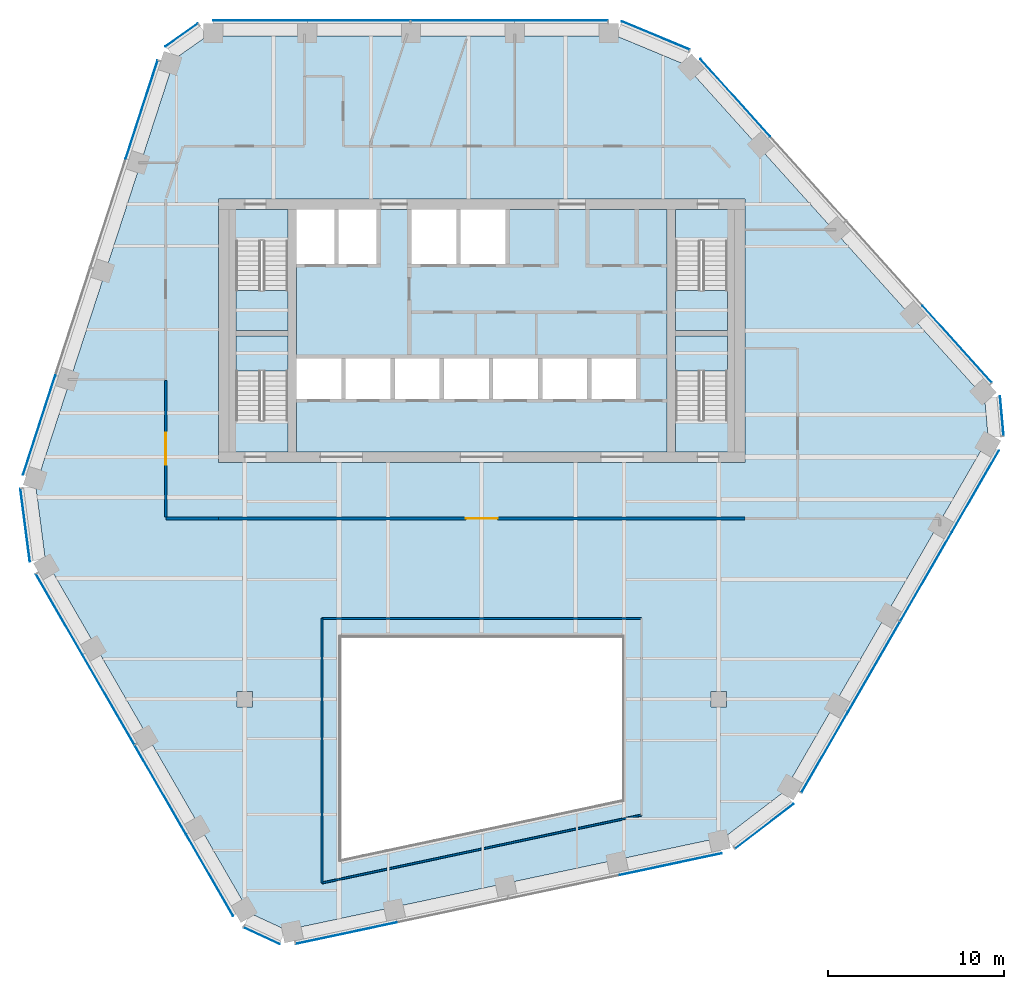
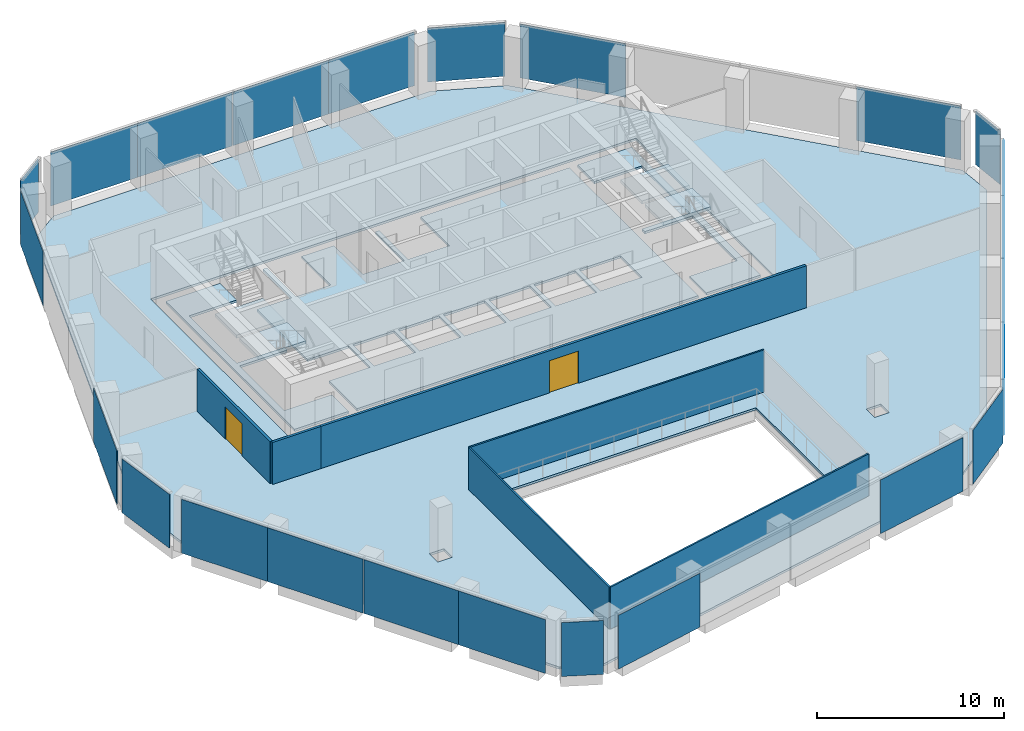
# One storey, part 8 of 15: 24 plates, 8 slabs, 6 walls, 2 doors, 2 openings, 16 elements without a shape of their own.
"""IFC4 building model written with IfcOpenShell, lengths in metres."""

from ifc_helpers import new_model, si_unit, direction, frame, frame_2d, origin, origin_2d, place, context, subcontext, project, spatial, polyline, rectangle, outline, extrude, material, layer, layer_set, type_object, element, fill, aggregate, save


model = new_model("IFC4")

# Units and contexts
model_context = context("Model", 3, precision=1e-05, world=origin(), true_north=direction((0.0, 1.0)))
body_context = subcontext(model_context, "Body", "Model", "MODEL_VIEW")
ifc_project = project(units=[si_unit("LENGTHUNIT", "METRE"), si_unit("AREAUNIT", "SQUARE_METRE"), si_unit("VOLUMEUNIT", "CUBIC_METRE"), si_unit("PLANEANGLEUNIT", "RADIAN"), si_unit("MASSUNIT", "GRAM", prefix="KILO")], contexts=[model_context])

# Site, building, storey
site_placement = place(None, origin())
site = spatial("IfcSite", under=ifc_project, at=site_placement, CompositionType="ELEMENT")
building_placement = place(site_placement, origin())
building = spatial("IfcBuilding", under=site, at=building_placement, Name="Isthmus Gate Tower", CompositionType="ELEMENT")
storey_placement = place(building_placement, frame((0.0, 0.0, 223.60009765625)))
storey = spatial("IfcBuildingStorey", under=building, at=storey_placement, Name="L56", CompositionType="ELEMENT", Elevation=223.60009765625)

# Slabs
ifc_material_1 = material(Name="Concrete f'c 40 MPa", Category="concrete")
ifc_layer_1 = layer(ifc_material_1, 0.14990234375)
ifc_layer_set_1 = layer_set([ifc_layer_1], Name="COMPOSITE FLOOR SLAB 150")
slab_type_1 = type_object("IfcSlabType", Name="COMPOSITE FLOOR SLAB 150", PredefinedType="FLOOR", material=ifc_layer_set_1)
slab_1_placement = place(storey_placement, frame((0.0, 0.0, -0.150146484375)))
element("IfcSlab", 1, at=slab_1_placement, inside=storey, type_object=slab_type_1, Name="str-slab-L56-1", PredefinedType="FLOOR", context=body_context, shape_type="SweptSolid", body=[
    extrude(outline(polyline([(11.539794921875, 22.68310546875), (28.65380859375, 3.67626953125), (28.859375, 1.3857421875), (17.21875, -18.7763671875), (13.874267578125, -21.335205078125), (-11.143310546875, -26.65283203125), (-13.2294921875, -25.685791015625), (-24.8701171875, -5.523681640625), (-25.4140625, -1.347900390625), (-17.510498046875, 22.976806640625), (-15.629638671875, 24.300048828125), (7.6513671875, 24.300048828125), (11.539794921875, 22.68310546875)]), holes=[polyline([(-8.0, -10.0), (-8.0, -22.611083984375), (8.0, -19.210205078125), (8.0, -10.0), (-8.0, -10.0)]), polyline([(-13.949951171875, -13.050048828125), (-13.949951171875, -13.949951171875), (-13.050048828125, -13.949951171875), (-13.050048828125, -13.050048828125), (-13.949951171875, -13.050048828125)]), polyline([(13.050048828125, -13.050048828125), (13.050048828125, -13.949951171875), (13.949951171875, -13.949951171875), (13.949951171875, -13.050048828125), (13.050048828125, -13.050048828125)]), polyline([(-15.0, 0.0), (15.0, 0.0), (15.0, 15.0), (-15.0, 15.0), (-15.0, 0.0)])]), origin(), (0.0, 0.0, 1.0), 0.150146484375),
])
ifc_material_2 = material(Name="Concrete f'c 40 MPa", Category="concrete")
ifc_layer_2 = layer(ifc_material_2, 0.14990234375)
ifc_layer_set_2 = layer_set([ifc_layer_2], Name="CORE FLOOR SLAB 150")
slab_type_2 = type_object("IfcSlabType", Name="CORE FLOOR SLAB 150", PredefinedType="FLOOR", material=ifc_layer_set_2)
slab_2_placement = place(storey_placement, frame((0.0, 0.0, -0.150146484375)))
element("IfcSlab", 2, at=slab_2_placement, inside=storey, type_object=slab_type_2, Name="L56 core floor", PredefinedType="FLOOR", context=body_context, shape_type="SweptSolid", body=[
    extrude(outline(polyline([(-11.050048828125, 0.60009765625), (-11.050048828125, 2.402099609375), (-14.0, 2.402099609375), (-14.0, 7.199951171875), (-11.050048828125, 7.199951171875), (-11.050048828125, 7.5), (-14.0, 7.5), (-14.0, 12.597900390625), (-11.050048828125, 12.597900390625), (-11.050048828125, 14.39990234375), (-14.39990234375, 14.39990234375), (-14.39990234375, 0.60009765625), (-11.050048828125, 0.60009765625)])), origin(), (0.0, 0.0, 1.0), 0.150146484375),
])
slab_3_placement = place(storey_placement, frame((0.0, 0.0, -0.150146484375)))
element("IfcSlab", 3, at=slab_3_placement, inside=storey, type_object=slab_type_2, Name="L56 core floor", PredefinedType="FLOOR", context=body_context, shape_type="SweptSolid", body=[
    extrude(outline(polyline([(10.550048828125, 14.39990234375), (1.35009765625, 14.39990234375), (1.35009765625, 11.300048828125), (-1.199951171875, 11.300048828125), (-1.199951171875, 14.39990234375), (-1.449951171875, 14.39990234375), (-1.449951171875, 11.300048828125), (-4.0, 11.300048828125), (-4.0, 14.39990234375), (-6.0, 14.39990234375), (-6.0, 11.300048828125), (-8.14990234375, 11.300048828125), (-8.14990234375, 14.39990234375), (-8.39990234375, 14.39990234375), (-8.39990234375, 11.300048828125), (-10.550048828125, 11.300048828125), (-10.550048828125, 5.89990234375), (-8.0, 5.89990234375), (-8.0, 3.60009765625), (-10.550048828125, 3.60009765625), (-10.550048828125, 0.60009765625), (10.550048828125, 0.60009765625), (10.550048828125, 14.39990234375)]), holes=[polyline([(-5.199951171875, 5.89990234375), (-5.199951171875, 3.60009765625), (-7.75, 3.60009765625), (-7.75, 5.89990234375), (-5.199951171875, 5.89990234375)]), polyline([(-2.39990234375, 5.89990234375), (-2.39990234375, 3.60009765625), (-4.949951171875, 3.60009765625), (-4.949951171875, 5.89990234375), (-2.39990234375, 5.89990234375)]), polyline([(0.39990234375, 5.89990234375), (0.39990234375, 3.60009765625), (-2.14990234375, 3.60009765625), (-2.14990234375, 5.89990234375), (0.39990234375, 5.89990234375)]), polyline([(3.199951171875, 5.89990234375), (3.199951171875, 3.60009765625), (0.64990234375, 3.60009765625), (0.64990234375, 5.89990234375), (3.199951171875, 5.89990234375)]), polyline([(6.0, 5.89990234375), (6.0, 3.60009765625), (3.449951171875, 3.60009765625), (3.449951171875, 5.89990234375), (6.0, 5.89990234375)]), polyline([(8.800048828125, 5.89990234375), (8.800048828125, 3.60009765625), (6.25, 3.60009765625), (6.25, 5.89990234375), (8.800048828125, 5.89990234375)])]), origin(), (0.0, 0.0, 1.0), 0.150146484375),
])
slab_4_placement = place(storey_placement, frame((0.0, 0.0, -0.150146484375)))
element("IfcSlab", 4, at=slab_4_placement, inside=storey, type_object=slab_type_2, Name="L56 core floor", PredefinedType="FLOOR", context=body_context, shape_type="SweptSolid", body=[
    extrude(outline(polyline([(11.050048828125, 14.39990234375), (11.050048828125, 12.597900390625), (14.0, 12.597900390625), (14.0, 7.5), (11.050048828125, 7.5), (11.050048828125, 7.199951171875), (14.0, 7.199951171875), (14.0, 2.402099609375), (11.050048828125, 2.402099609375), (11.050048828125, 0.60009765625), (14.39990234375, 0.60009765625), (14.39990234375, 14.39990234375), (11.050048828125, 14.39990234375)])), origin(), (0.0, 0.0, 1.0), 0.150146484375),
])

# Curtain wall, plates
ifc_material_3 = material(Name="Aluminium, pale champagne anodised", Category="aluminium")
ifc_layer_3 = layer(ifc_material_3, 0.199951171875)
ifc_layer_set_3 = layer_set([ifc_layer_3], Name="CW-1 UNITISED CURTAIN WALL 200 DEEP")
curtain_wall_type = type_object("IfcCurtainWallType", Name="CW-1 UNITISED CURTAIN WALL 200 DEEP", PredefinedType="NOTDEFINED", material=ifc_layer_set_3)
curtain_wall_1_placement = place(storey_placement, origin())
curtain_wall_1 = element("IfcCurtainWall", 5, at=curtain_wall_1_placement, inside=storey, type_object=curtain_wall_type, Name="CW-1 N L56", PredefinedType="NOTDEFINED")
ifc_material_4 = material(Name="Laminated low-iron glass, pale blue tint", Category="glass")
ifc_layer_4 = layer(ifc_material_4, 0.031982421875)
ifc_layer_set_4 = layer_set([ifc_layer_4], Name="CW-1 CLEAR GLASS LITE 32")
plate_type = type_object("IfcPlateType", Name="CW-1 CLEAR GLASS LITE 32", PredefinedType="CURTAIN_PANEL", material=ifc_layer_set_4)
plate_1_placement = place(storey_placement, frame((4.53076171875, 25.18408203125, 0.0), z_axis=(0.0, 0.0, 1.0), x_axis=(-1.0, 0.0, 0.0)))
plate_1 = element("IfcPlate", 6, at=plate_1_placement, type_object=plate_type, Name="CW-1 glass lite", PredefinedType="CURTAIN_PANEL", context=body_context, shape_type="SweptSolid", body=[
    extrude(rectangle(XDim=5.300537109375, YDim=0.031982421875, at=origin_2d()), origin(), (0.0, 0.0, 1.0), 3.52001953125),
])
plate_2_placement = place(storey_placement, frame((-1.07470703125, 25.18408203125, 0.0), z_axis=(0.0, 0.0, 1.0), x_axis=(-1.0, 0.0, 0.0)))
plate_2 = element("IfcPlate", 7, at=plate_2_placement, type_object=plate_type, Name="CW-1 glass lite", PredefinedType="CURTAIN_PANEL", context=body_context, shape_type="SweptSolid", body=[
    extrude(rectangle(XDim=5.91064453125, YDim=0.031982421875, at=origin_2d()), origin(), (0.0, 0.0, 1.0), 3.52001953125),
])
plate_3_placement = place(storey_placement, frame((-7.015380859375, 25.18408203125, 0.0), z_axis=(0.0, 0.0, 1.0), x_axis=(-1.0, 0.0, 0.0)))
plate_3 = element("IfcPlate", 8, at=plate_3_placement, type_object=plate_type, Name="CW-1 glass lite", PredefinedType="CURTAIN_PANEL", context=body_context, shape_type="SweptSolid", body=[
    extrude(rectangle(XDim=5.8505859375, YDim=0.031982421875, at=origin_2d()), origin(), (0.0, 0.0, 1.0), 3.52001953125),
])
plate_4_placement = place(storey_placement, frame((-12.62109375, 25.18408203125, 0.0), z_axis=(0.0, 0.0, 1.0), x_axis=(-1.0, 0.0, 0.0)))
plate_4 = element("IfcPlate", 9, at=plate_4_placement, type_object=plate_type, Name="CW-1 glass lite", PredefinedType="CURTAIN_PANEL", context=body_context, shape_type="SweptSolid", body=[
    extrude(rectangle(XDim=5.360595703125, YDim=0.031982421875, at=origin_2d()), origin(), (0.0, 0.0, 1.0), 3.52001953125),
])
aggregate(curtain_wall_1, [plate_1, plate_2, plate_3, plate_4])

# Curtain wall, plate
curtain_wall_2_placement = place(storey_placement, origin())
curtain_wall_2 = element("IfcCurtainWall", 10, at=curtain_wall_2_placement, inside=storey, type_object=curtain_wall_type, Name="CW-1 N-NW L56", PredefinedType="NOTDEFINED")
plate_5_placement = place(storey_placement, frame((-17.1025390625, 24.3447265625, 0.0), z_axis=(0.0, 0.0, 1.0), x_axis=(-0.81785959165, -0.57541783805, 0.0)))
plate_5 = element("IfcPlate", 11, at=plate_5_placement, type_object=plate_type, Name="CW-1 glass lite", PredefinedType="CURTAIN_PANEL", context=body_context, shape_type="SweptSolid", body=[
    extrude(rectangle(XDim=2.258544921875, YDim=0.031982421875, at=origin_2d()), origin(), (0.0, 0.0, 1.0), 3.52001953125),
])
aggregate(curtain_wall_2, [plate_5])

# Curtain wall, plates
curtain_wall_3_placement = place(storey_placement, origin())
curtain_wall_3 = element("IfcCurtainWall", 12, at=curtain_wall_3_placement, inside=storey, type_object=curtain_wall_type, Name="CW-1 NW L56", PredefinedType="NOTDEFINED")
plate_6_placement = place(storey_placement, frame((-19.37646484375, 20.0947265625, 0.0), z_axis=(0.0, 0.0, 1.0), x_axis=(-0.309016994375, -0.951056516295, 0.0)))
plate_6 = element("IfcPlate", 13, at=plate_6_placement, type_object=plate_type, Name="CW-1 glass lite", PredefinedType="CURTAIN_PANEL", context=body_context, shape_type="SweptSolid", body=[
    extrude(rectangle(XDim=5.8818359375, YDim=0.031982421875, at=origin_2d()), origin(), (0.0, 0.0, 1.0), 3.52001953125),
])
plate_7_placement = place(storey_placement, frame((-25.215576171875, 2.123779296875, 0.0), z_axis=(0.0, 0.0, 1.0), x_axis=(-0.309016994375, -0.951056516295, 0.0)))
plate_7 = element("IfcPlate", 14, at=plate_7_placement, type_object=plate_type, Name="CW-1 glass lite", PredefinedType="CURTAIN_PANEL", context=body_context, shape_type="SweptSolid", body=[
    extrude(rectangle(XDim=5.94189453125, YDim=0.031982421875, at=origin_2d()), origin(), (0.0, 0.0, 1.0), 3.52001953125),
])
aggregate(curtain_wall_3, [plate_6, plate_7])

# Curtain wall, plate
curtain_wall_4_placement = place(storey_placement, origin())
curtain_wall_4 = element("IfcCurtainWall", 15, at=curtain_wall_4_placement, inside=storey, type_object=curtain_wall_type, Name="CW-1 NW-SW L56", PredefinedType="NOTDEFINED")
plate_8_placement = place(storey_placement, frame((-26.014892578125, -3.57958984375, 0.0), z_axis=(0.0, 0.0, 1.0), x_axis=(0.129164534, -0.991623175988, 0.0)))
plate_8 = element("IfcPlate", 16, at=plate_8_placement, type_object=plate_type, Name="CW-1 glass lite", PredefinedType="CURTAIN_PANEL", context=body_context, shape_type="SweptSolid", body=[
    extrude(rectangle(XDim=4.181396484375, YDim=0.031982421875, at=origin_2d()), origin(), (0.0, 0.0, 1.0), 3.52001953125),
])
aggregate(curtain_wall_4, [plate_8])

# Curtain wall, plates
curtain_wall_5_placement = place(storey_placement, origin())
curtain_wall_5 = element("IfcCurtainWall", 17, at=curtain_wall_5_placement, inside=storey, type_object=curtain_wall_type, Name="CW-1 SW L56", PredefinedType="NOTDEFINED")
plate_9_placement = place(storey_placement, frame((-24.075439453125, -8.668212890625, 0.0), z_axis=(0.0, 0.0, 1.0), x_axis=(0.5, -0.866025403784, 0.0)))
plate_9 = element("IfcPlate", 18, at=plate_9_placement, type_object=plate_type, Name="CW-1 glass lite", PredefinedType="CURTAIN_PANEL", context=body_context, shape_type="SweptSolid", body=[
    extrude(rectangle(XDim=5.300537109375, YDim=0.031982421875, at=origin_2d()), origin(), (0.0, 0.0, 1.0), 3.52001953125),
])
plate_10_placement = place(storey_placement, frame((-21.272705078125, -13.522705078125, 0.0), z_axis=(0.0, 0.0, 1.0), x_axis=(0.5, -0.866025403784, 0.0)))
plate_10 = element("IfcPlate", 19, at=plate_10_placement, type_object=plate_type, Name="CW-1 glass lite", PredefinedType="CURTAIN_PANEL", context=body_context, shape_type="SweptSolid", body=[
    extrude(rectangle(XDim=5.91064453125, YDim=0.031982421875, at=origin_2d()), origin(), (0.0, 0.0, 1.0), 3.52001953125),
])
plate_11_placement = place(storey_placement, frame((-18.30224609375, -18.66748046875, 0.0), z_axis=(0.0, 0.0, 1.0), x_axis=(0.5, -0.866025403784, 0.0)))
plate_11 = element("IfcPlate", 20, at=plate_11_placement, type_object=plate_type, Name="CW-1 glass lite", PredefinedType="CURTAIN_PANEL", context=body_context, shape_type="SweptSolid", body=[
    extrude(rectangle(XDim=5.8505859375, YDim=0.031982421875, at=origin_2d()), origin(), (0.0, 0.0, 1.0), 3.52001953125),
])
plate_12_placement = place(storey_placement, frame((-15.49951171875, -23.52197265625, 0.0), z_axis=(0.0, 0.0, 1.0), x_axis=(0.5, -0.866025403784, 0.0)))
plate_12 = element("IfcPlate", 21, at=plate_12_placement, type_object=plate_type, Name="CW-1 glass lite", PredefinedType="CURTAIN_PANEL", context=body_context, shape_type="SweptSolid", body=[
    extrude(rectangle(XDim=5.360595703125, YDim=0.031982421875, at=origin_2d()), origin(), (0.0, 0.0, 1.0), 3.52001953125),
])
aggregate(curtain_wall_5, [plate_9, plate_10, plate_11, plate_12])

# Curtain wall, plate
curtain_wall_6_placement = place(storey_placement, origin())
curtain_wall_6 = element("IfcCurtainWall", 22, at=curtain_wall_6_placement, inside=storey, type_object=curtain_wall_type, Name="CW-1 SW-S L56", PredefinedType="NOTDEFINED")
plate_13_placement = place(storey_placement, frame((-12.531982421875, -26.9833984375, 0.0), z_axis=(0.0, 0.0, 1.0), x_axis=(0.907256261367, -0.420578264073, 0.0)))
plate_13 = element("IfcPlate", 23, at=plate_13_placement, type_object=plate_type, Name="CW-1 glass lite", PredefinedType="CURTAIN_PANEL", context=body_context, shape_type="SweptSolid", body=[
    extrude(rectangle(XDim=2.258544921875, YDim=0.031982421875, at=origin_2d()), origin(), (0.0, 0.0, 1.0), 3.52001953125),
])
aggregate(curtain_wall_6, [plate_13])

# Curtain wall, plates
curtain_wall_7_placement = place(storey_placement, origin())
curtain_wall_7 = element("IfcCurtainWall", 24, at=curtain_wall_7_placement, inside=storey, type_object=curtain_wall_type, Name="CW-1 S L56", PredefinedType="NOTDEFINED")
plate_14_placement = place(storey_placement, frame((-7.71435546875, -26.827880859375, 0.0), z_axis=(0.0, 0.0, 1.0), x_axis=(0.978147600734, 0.207911690818, 0.0)))
plate_14 = element("IfcPlate", 25, at=plate_14_placement, type_object=plate_type, Name="CW-1 glass lite", PredefinedType="CURTAIN_PANEL", context=body_context, shape_type="SweptSolid", body=[
    extrude(rectangle(XDim=5.8818359375, YDim=0.031982421875, at=origin_2d()), origin(), (0.0, 0.0, 1.0), 3.52001953125),
])
plate_15_placement = place(storey_placement, frame((10.7685546875, -22.899169921875, 0.0), z_axis=(0.0, 0.0, 1.0), x_axis=(0.978147600734, 0.207911690818, 0.0)))
plate_15 = element("IfcPlate", 26, at=plate_15_placement, type_object=plate_type, Name="CW-1 glass lite", PredefinedType="CURTAIN_PANEL", context=body_context, shape_type="SweptSolid", body=[
    extrude(rectangle(XDim=5.94189453125, YDim=0.031982421875, at=origin_2d()), origin(), (0.0, 0.0, 1.0), 3.52001953125),
])
aggregate(curtain_wall_7, [plate_14, plate_15])

# Curtain wall, plate
curtain_wall_8_placement = place(storey_placement, origin())
curtain_wall_8 = element("IfcCurtainWall", 27, at=curtain_wall_8_placement, inside=storey, type_object=curtain_wall_type, Name="CW-1 S-SE L56", PredefinedType="NOTDEFINED")
plate_16_placement = place(storey_placement, frame((16.107421875, -20.73974609375, 0.0), z_axis=(0.0, 0.0, 1.0), x_axis=(0.794188594387, 0.607671355706, 0.0)))
plate_16 = element("IfcPlate", 28, at=plate_16_placement, type_object=plate_type, Name="CW-1 glass lite", PredefinedType="CURTAIN_PANEL", context=body_context, shape_type="SweptSolid", body=[
    extrude(rectangle(XDim=4.181396484375, YDim=0.031982421875, at=origin_2d()), origin(), (0.0, 0.0, 1.0), 3.52001953125),
])
aggregate(curtain_wall_8, [plate_16])

# Curtain wall, plates
curtain_wall_9_placement = place(storey_placement, origin())
curtain_wall_9 = element("IfcCurtainWall", 29, at=curtain_wall_9_placement, inside=storey, type_object=curtain_wall_type, Name="CW-1 SE L56", PredefinedType="NOTDEFINED")
plate_17_placement = place(storey_placement, frame((19.544677734375, -16.515869140625, 0.0), z_axis=(0.0, 0.0, 1.0), x_axis=(0.5, 0.866025403784, 0.0)))
plate_17 = element("IfcPlate", 30, at=plate_17_placement, type_object=plate_type, Name="CW-1 glass lite", PredefinedType="CURTAIN_PANEL", context=body_context, shape_type="SweptSolid", body=[
    extrude(rectangle(XDim=5.300537109375, YDim=0.031982421875, at=origin_2d()), origin(), (0.0, 0.0, 1.0), 3.52001953125),
])
plate_18_placement = place(storey_placement, frame((22.347412109375, -11.6611328125, 0.0), z_axis=(0.0, 0.0, 1.0), x_axis=(0.5, 0.866025403784, 0.0)))
plate_18 = element("IfcPlate", 31, at=plate_18_placement, type_object=plate_type, Name="CW-1 glass lite", PredefinedType="CURTAIN_PANEL", context=body_context, shape_type="SweptSolid", body=[
    extrude(rectangle(XDim=5.91064453125, YDim=0.031982421875, at=origin_2d()), origin(), (0.0, 0.0, 1.0), 3.52001953125),
])
plate_19_placement = place(storey_placement, frame((25.317626953125, -6.5166015625, 0.0), z_axis=(0.0, 0.0, 1.0), x_axis=(0.5, 0.866025403784, 0.0)))
plate_19 = element("IfcPlate", 32, at=plate_19_placement, type_object=plate_type, Name="CW-1 glass lite", PredefinedType="CURTAIN_PANEL", context=body_context, shape_type="SweptSolid", body=[
    extrude(rectangle(XDim=5.8505859375, YDim=0.031982421875, at=origin_2d()), origin(), (0.0, 0.0, 1.0), 3.52001953125),
])
plate_20_placement = place(storey_placement, frame((28.120361328125, -1.661865234375, 0.0), z_axis=(0.0, 0.0, 1.0), x_axis=(0.5, 0.866025403784, 0.0)))
plate_20 = element("IfcPlate", 33, at=plate_20_placement, type_object=plate_type, Name="CW-1 glass lite", PredefinedType="CURTAIN_PANEL", context=body_context, shape_type="SweptSolid", body=[
    extrude(rectangle(XDim=5.360595703125, YDim=0.031982421875, at=origin_2d()), origin(), (0.0, 0.0, 1.0), 3.52001953125),
])
aggregate(curtain_wall_9, [plate_17, plate_18, plate_19, plate_20])

# Curtain wall, plate
curtain_wall_10_placement = place(storey_placement, origin())
curtain_wall_10 = element("IfcCurtainWall", 34, at=curtain_wall_10_placement, inside=storey, type_object=curtain_wall_type, Name="CW-1 SE-NE L56", PredefinedType="NOTDEFINED")
plate_21_placement = place(storey_placement, frame((29.63427734375, 2.638671875, 0.0), z_axis=(0.0, 0.0, 1.0), x_axis=(-0.089396669717, 0.995996102123, 0.0)))
plate_21 = element("IfcPlate", 35, at=plate_21_placement, type_object=plate_type, Name="CW-1 glass lite", PredefinedType="CURTAIN_PANEL", context=body_context, shape_type="SweptSolid", body=[
    extrude(rectangle(XDim=2.258544921875, YDim=0.031982421875, at=origin_2d()), origin(), (0.0, 0.0, 1.0), 3.52001953125),
])
aggregate(curtain_wall_10, [plate_21])

# Curtain wall, plates
curtain_wall_11_placement = place(storey_placement, origin())
curtain_wall_11 = element("IfcCurtainWall", 36, at=curtain_wall_11_placement, inside=storey, type_object=curtain_wall_type, Name="CW-1 NE L56", PredefinedType="NOTDEFINED")
plate_22_placement = place(storey_placement, frame((27.0908203125, 6.733154296875, 0.0), z_axis=(0.0, 0.0, 1.0), x_axis=(-0.669130606359, 0.743144825477, 0.0)))
plate_22 = element("IfcPlate", 37, at=plate_22_placement, type_object=plate_type, Name="CW-1 glass lite", PredefinedType="CURTAIN_PANEL", context=body_context, shape_type="SweptSolid", body=[
    extrude(rectangle(XDim=5.8818359375, YDim=0.031982421875, at=origin_2d()), origin(), (0.0, 0.0, 1.0), 3.52001953125),
])
plate_23_placement = place(storey_placement, frame((14.447021484375, 20.775390625, 0.0), z_axis=(0.0, 0.0, 1.0), x_axis=(-0.669130606359, 0.743144825477, 0.0)))
plate_23 = element("IfcPlate", 38, at=plate_23_placement, type_object=plate_type, Name="CW-1 glass lite", PredefinedType="CURTAIN_PANEL", context=body_context, shape_type="SweptSolid", body=[
    extrude(rectangle(XDim=5.94189453125, YDim=0.031982421875, at=origin_2d()), origin(), (0.0, 0.0, 1.0), 3.52001953125),
])
aggregate(curtain_wall_11, [plate_22, plate_23])

# Curtain wall, plate
curtain_wall_12_placement = place(storey_placement, origin())
curtain_wall_12 = element("IfcCurtainWall", 39, at=curtain_wall_12_placement, inside=storey, type_object=curtain_wall_type, Name="CW-1 NE-N L56", PredefinedType="NOTDEFINED")
plate_24_placement = place(storey_placement, frame((9.907470703125, 24.3193359375, 0.0), z_axis=(0.0, 0.0, 1.0), x_axis=(-0.923353128387, 0.383951820282, 0.0)))
plate_24 = element("IfcPlate", 40, at=plate_24_placement, type_object=plate_type, Name="CW-1 glass lite", PredefinedType="CURTAIN_PANEL", context=body_context, shape_type="SweptSolid", body=[
    extrude(rectangle(XDim=4.181396484375, YDim=0.031982421875, at=origin_2d()), origin(), (0.0, 0.0, 1.0), 3.52001953125),
])
aggregate(curtain_wall_12, [plate_24])

# Stair, slab
ifc_material_5 = material(Name="Concrete f'c 40 MPa", Category="concrete")
stair_type = type_object("IfcStairType", Name="CORE STAIR 22 RISERS", PredefinedType="HALF_TURN_STAIR", material=ifc_material_5)
stair_1_placement = place(storey_placement, origin())
stair_1 = element("IfcStair", 41, at=stair_1_placement, inside=storey, type_object=stair_type, Name="L56 Exit Stair 1", PredefinedType="HALF_TURN_STAIR")
ifc_material_6 = material(Name="Concrete f'c 40 MPa", Category="concrete")
ifc_layer_5 = layer(ifc_material_6, 0.199951171875)
ifc_layer_set_5 = layer_set([ifc_layer_5])
slab_type_3 = type_object("IfcSlabType", Name="STAIR LANDING RC 200", PredefinedType="LANDING", material=ifc_layer_set_5)
slab_5_placement = place(storey_placement, frame((0.0, 0.0, 1.625)))
slab_5 = element("IfcSlab", 42, at=slab_5_placement, type_object=slab_type_3, Name="ST1 landing 1", PredefinedType="LANDING", context=body_context, shape_type="SweptSolid", body=[
    extrude(outline(polyline([(-14.0, 9.800048828125), (-14.0, 7.5), (-11.050048828125, 7.5), (-11.050048828125, 9.800048828125), (-14.0, 9.800048828125)])), origin(), (0.0, 0.0, 1.0), 0.199951171875),
])
aggregate(stair_1, [slab_5])

stair_2_placement = place(storey_placement, origin())
stair_2 = element("IfcStair", 43, at=stair_2_placement, inside=storey, type_object=stair_type, Name="L56 Exit Stair 2", PredefinedType="HALF_TURN_STAIR")
slab_6_placement = place(storey_placement, frame((0.0, 0.0, 1.625)))
slab_6 = element("IfcSlab", 44, at=slab_6_placement, type_object=slab_type_3, Name="ST2 landing 1", PredefinedType="LANDING", context=body_context, shape_type="SweptSolid", body=[
    extrude(outline(polyline([(11.050048828125, 9.800048828125), (11.050048828125, 7.5), (14.0, 7.5), (14.0, 9.800048828125), (11.050048828125, 9.800048828125)])), origin(), (0.0, 0.0, 1.0), 0.199951171875),
])
aggregate(stair_2, [slab_6])

stair_3_placement = place(storey_placement, origin())
stair_3 = element("IfcStair", 45, at=stair_3_placement, inside=storey, type_object=stair_type, Name="L56 Exit Stair 7", PredefinedType="HALF_TURN_STAIR")
slab_7_placement = place(storey_placement, frame((0.0, 0.0, 1.625)))
slab_7 = element("IfcSlab", 46, at=slab_7_placement, type_object=slab_type_3, Name="ST7 landing 1", PredefinedType="LANDING", context=body_context, shape_type="SweptSolid", body=[
    extrude(outline(polyline([(-11.050048828125, 5.199951171875), (-11.050048828125, 7.199951171875), (-14.0, 7.199951171875), (-14.0, 5.199951171875), (-11.050048828125, 5.199951171875)])), origin(), (0.0, 0.0, 1.0), 0.199951171875),
])
aggregate(stair_3, [slab_7])

stair_4_placement = place(storey_placement, origin())
stair_4 = element("IfcStair", 47, at=stair_4_placement, inside=storey, type_object=stair_type, Name="L56 Exit Stair 8", PredefinedType="HALF_TURN_STAIR")
slab_8_placement = place(storey_placement, frame((0.0, 0.0, 1.625)))
slab_8 = element("IfcSlab", 48, at=slab_8_placement, type_object=slab_type_3, Name="ST8 landing 1", PredefinedType="LANDING", context=body_context, shape_type="SweptSolid", body=[
    extrude(outline(polyline([(14.0, 5.199951171875), (14.0, 7.199951171875), (11.050048828125, 7.199951171875), (11.050048828125, 5.199951171875), (14.0, 5.199951171875)])), origin(), (0.0, 0.0, 1.0), 0.199951171875),
])
aggregate(stair_4, [slab_8])

# Walls
ifc_material_7 = material(Name="Fire-rated laminated glass in steel frame", Category="steel")
ifc_layer_6 = layer(ifc_material_7, 0.10009765625)
ifc_layer_set_6 = layer_set([ifc_layer_6], Name="ATRIUM SCREEN GLAZED WALL 100 120 MIN")
wall_type_1 = type_object("IfcWallType", Name="ATRIUM SCREEN GLAZED WALL 100 120 MIN", PredefinedType="PARTITIONING", material=ifc_layer_set_6)
wall_1_placement = place(storey_placement, frame((-9.10009765625, -8.89990234375, 0.0), z_axis=(0.0, 0.0, 1.0), x_axis=(1.0, 0.0, 0.0)))
element("IfcWall", 49, at=wall_1_placement, inside=storey, type_object=wall_type_1, Name="L56 atrium screen", PredefinedType="PARTITIONING", context=body_context, shape_type="SweptSolid", body=[
    extrude(rectangle(XDim=18.2001953125, YDim=0.10009765625, at=frame_2d((9.10009765625, 0.0))), origin(), (0.0, 0.0, 1.0), 2.75048828125),
])
wall_2_placement = place(storey_placement, frame((9.10009765625, -20.100830078125, 0.0), z_axis=(0.0, 0.0, 1.0), x_axis=(-0.978146710971, -0.207915876778, 0.0)))
element("IfcWall", 50, at=wall_2_placement, inside=storey, type_object=wall_type_1, Name="L56 atrium screen", PredefinedType="PARTITIONING", context=body_context, shape_type="SweptSolid", body=[
    extrude(rectangle(XDim=18.60693359375, YDim=0.10009765625, at=frame_2d((9.303466796875, 0.0))), origin(), (0.0, 0.0, 1.0), 2.75048828125),
])
wall_3_placement = place(storey_placement, frame((-9.10009765625, -23.969482421875, 0.0), z_axis=(0.0, 0.0, 1.0), x_axis=(0.0, 1.0, 0.0)))
element("IfcWall", 51, at=wall_3_placement, inside=storey, type_object=wall_type_1, Name="L56 atrium screen", PredefinedType="PARTITIONING", context=body_context, shape_type="SweptSolid", body=[
    extrude(rectangle(XDim=15.069580078125, YDim=0.10009765625, at=frame_2d((7.53466796875, 0.0))), origin(), (0.0, 0.0, 1.0), 2.75048828125),
])

# Wall, opening, door
ifc_material_8 = material(Name="Gypsum board on steel studs, fire-rated", Category="steel")
ifc_layer_7 = layer(ifc_material_8, 0.14990234375)
ifc_layer_set_7 = layer_set([ifc_layer_7], Name="CORRIDOR WALL 150 60 MIN")
wall_type_2 = type_object("IfcWallType", Name="CORRIDOR WALL 150 60 MIN", PredefinedType="PARTITIONING", material=ifc_layer_set_7)
wall_4_placement = place(storey_placement, frame((15.0, -3.199951171875, 0.0), z_axis=(0.0, 0.0, 1.0), x_axis=(-1.0, 0.0, 0.0)))
wall_4 = element("IfcWall", 52, at=wall_4_placement, inside=storey, type_object=wall_type_2, Name="L56 Corridor Wall 150 60 Min", PredefinedType="PARTITIONING", context=body_context, shape_type="SweptSolid", body=[
    extrude(rectangle(XDim=30.0, YDim=0.14990234375, at=frame_2d((15.0, 0.0))), origin(), (0.0, 0.0, 1.0), 2.75048828125),
])
opening_1_placement = place(wall_4_placement, frame((14.10009765625, 0.0, 0.0)))
opening_1 = element("IfcOpeningElement", 53, at=opening_1_placement, cuts=wall_4, Name="Opening DT-T5A-05", PredefinedType="OPENING", context=body_context, shape_type="SweptSolid", body=[
    extrude(rectangle(XDim=1.800048828125, YDim=2.10009765625, at=frame_2d((0.89990234375, 1.050048828125))), frame((0.0, 0.0849609375, 0.0), z_axis=(0.0, -1.0, 0.0), x_axis=(1.0, 0.0, 0.0)), (0.0, 0.0, 1.0), 0.169921875),
])
ifc_material_9 = material(Name="Solid core timber door leaf, fire-rated", Category="wood")
door_type = type_object("IfcDoorType", Name="FIRE DOOR ROOM 1800 X 2100 60 MIN", OperationType="DOUBLE_DOOR_DOUBLE_SWING", PredefinedType="DOOR", material=ifc_material_9)
door_1_placement = place(opening_1_placement, origin())
door_1 = element("IfcDoor", 54, at=door_1_placement, inside=storey, type_object=door_type, Name="L56 room door", OperationType="DOUBLE_DOOR_DOUBLE_SWING", OverallHeight=2.10009765625, OverallWidth=1.800048828125, PredefinedType="DOOR", context=body_context, shape_type="SweptSolid", body=[
    extrude(rectangle(XDim=1.800048828125, YDim=2.10009765625, at=frame_2d((0.89990234375, 1.050048828125))), frame((0.0, 0.02490234375, 0.0), z_axis=(0.0, -1.0, 0.0), x_axis=(1.0, 0.0, 0.0)), (0.0, 0.0, 1.0), 0.050048828125),
])
fill(opening_1, door_1)

# Wall
wall_5_placement = place(storey_placement, frame((-15.0, -3.199951171875, 0.0), z_axis=(0.0, 0.0, 1.0), x_axis=(-1.0, 0.0, 0.0)))
element("IfcWall", 55, at=wall_5_placement, inside=storey, type_object=wall_type_2, Name="L56 Corridor Wall 150 60 Min", PredefinedType="PARTITIONING", context=body_context, shape_type="SweptSolid", body=[
    extrude(rectangle(XDim=3.0, YDim=0.14990234375, at=frame_2d((1.5, 0.0))), origin(), (0.0, 0.0, 1.0), 2.75048828125),
])

# Wall, opening, door
wall_6_placement = place(storey_placement, frame((-18.0, -3.125, 0.0), z_axis=(0.0, 0.0, 1.0), x_axis=(0.0, 1.0, 0.0)))
wall_6 = element("IfcWall", 56, at=wall_6_placement, inside=storey, type_object=wall_type_2, Name="L56 Corridor Wall 150 60 Min", PredefinedType="PARTITIONING", context=body_context, shape_type="SweptSolid", body=[
    extrude(rectangle(XDim=7.798095703125, YDim=0.14990234375, at=frame_2d((3.89892578125, 0.0))), origin(), (0.0, 0.0, 1.0), 2.75048828125),
])
opening_2_placement = place(wall_6_placement, frame((2.9990234375, 0.0, 0.0)))
opening_2 = element("IfcOpeningElement", 57, at=opening_2_placement, cuts=wall_6, Name="Opening DT-T5A-06", PredefinedType="OPENING", context=body_context, shape_type="SweptSolid", body=[
    extrude(rectangle(XDim=1.800048828125, YDim=2.10009765625, at=frame_2d((0.89990234375, 1.050048828125))), frame((0.0, 0.0849609375, 0.0), z_axis=(0.0, -1.0, 0.0), x_axis=(1.0, 0.0, 0.0)), (0.0, 0.0, 1.0), 0.169921875),
])
door_2_placement = place(opening_2_placement, origin())
door_2 = element("IfcDoor", 58, at=door_2_placement, inside=storey, type_object=door_type, Name="L56 room door", OperationType="DOUBLE_DOOR_DOUBLE_SWING", OverallHeight=2.10009765625, OverallWidth=1.800048828125, PredefinedType="DOOR", context=body_context, shape_type="SweptSolid", body=[
    extrude(rectangle(XDim=1.800048828125, YDim=2.10009765625, at=frame_2d((0.89990234375, 1.050048828125))), frame((0.0, 0.02490234375, 0.0), z_axis=(0.0, -1.0, 0.0), x_axis=(1.0, 0.0, 0.0)), (0.0, 0.0, 1.0), 0.050048828125),
])
fill(opening_2, door_2)

save(model, "model.ifc")
